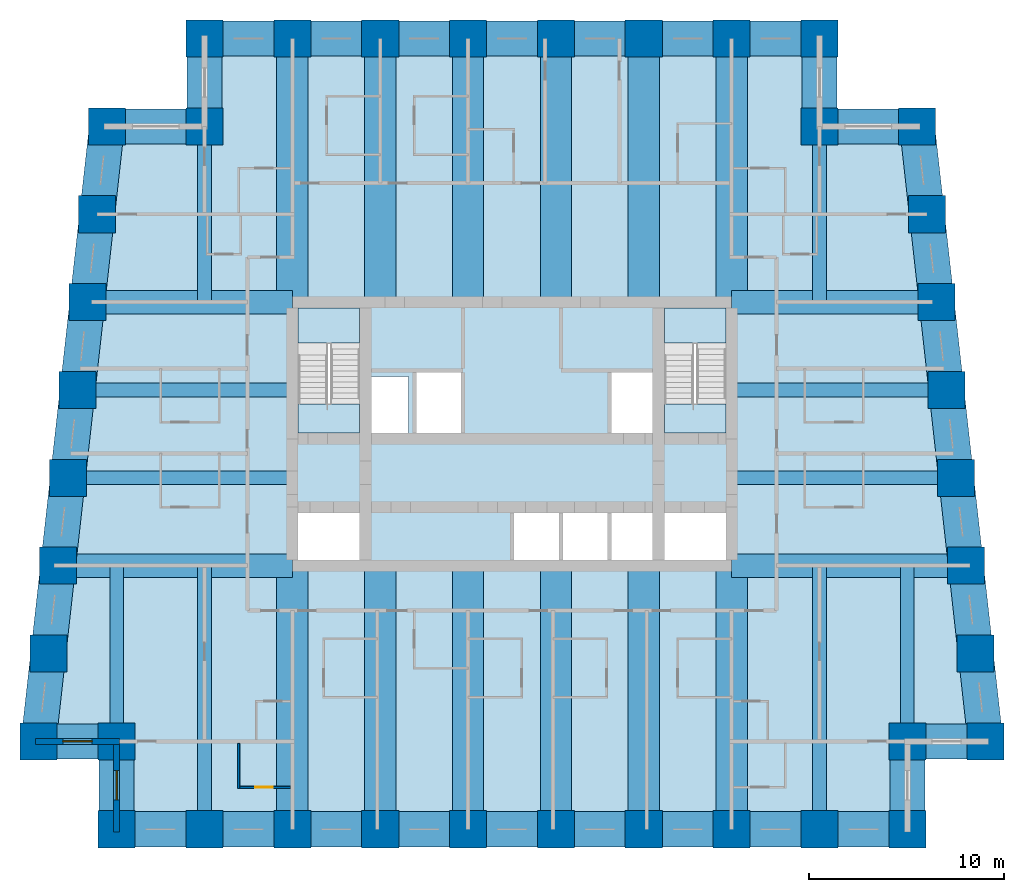
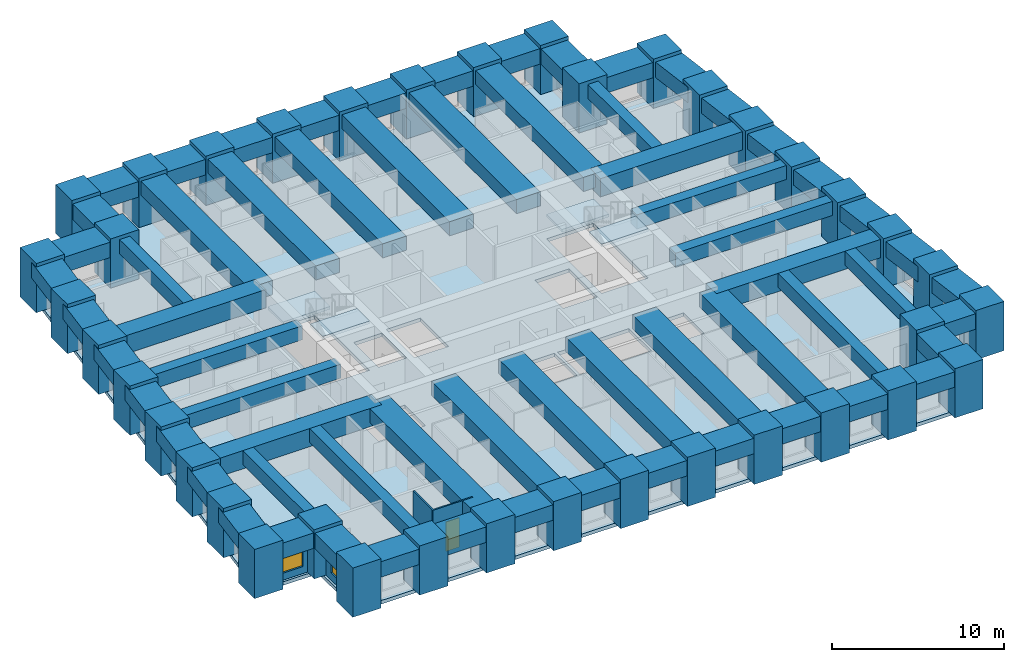
# One storey, part 1 of 8: 64 beams, 38 columns, 5 slabs, 4 walls, 2 windows, 1 door, 3 openings, 2 elements without a shape of their own.
"""IFC4 building model written with IfcOpenShell, lengths in metres."""

from ifc_helpers import new_model, si_unit, direction, frame, frame_2d, origin, origin_2d, place, context, subcontext, project, spatial, polyline, rectangle, outline, extrude, material, layer, layer_set, material_profile, profile_set, type_object, element, fill, aggregate, save


model = new_model("IFC4")

# Units and contexts
model_context = context("Model", 3, precision=1e-05, world=origin(), true_north=direction((0.0, 1.0)))
body_context = subcontext(model_context, "Body", "Model", "MODEL_VIEW")
ifc_project = project(units=[si_unit("LENGTHUNIT", "METRE"), si_unit("AREAUNIT", "SQUARE_METRE"), si_unit("VOLUMEUNIT", "CUBIC_METRE"), si_unit("PLANEANGLEUNIT", "RADIAN"), si_unit("MASSUNIT", "GRAM", prefix="KILO")], contexts=[model_context])

# Site, building, storey
site_placement = place(None, origin())
site = spatial("IfcSite", under=ifc_project, at=site_placement, CompositionType="ELEMENT")
building_placement = place(site_placement, origin())
building = spatial("IfcBuilding", under=site, at=building_placement, Name="Kilele Tower Hotel", CompositionType="ELEMENT")
storey_placement = place(building_placement, frame((0.0, 0.0, 103.89990234375)))
storey = spatial("IfcBuildingStorey", under=building, at=storey_placement, Name="L26", CompositionType="ELEMENT", Elevation=103.89990234375)

# Columns
ifc_material_1 = material(Name="Concrete C70/85", Category="concrete")
ifc_material_profile_1 = material_profile(ifc_material_1, rectangle(XDim=1.89990234375, YDim=1.89990234375, at=origin_2d()))
ifc_profile_set_1 = profile_set([ifc_material_profile_1], Name="Concrete C70/85")
column_type = type_object("IfcColumnType", Name="Tube column RC 1900x1900 C70/85", PredefinedType="COLUMN", material=ifc_profile_set_1)
for number, where, z_axis, x_axis, name in (
    (1, (0.5, 4.5, 0.0), (0.0, 0.0, 1.0), (1.0, 0.0, 0.0), "Column TC2 L26"),
    (2, (4.5, 4.5, 0.0), (0.0, 0.0, 1.0), (1.0, 0.0, 0.0), "Column TC2 L26"),
    (3, (4.5, 0.0, 0.0), (0.0, 0.0, 1.0), (1.0, 0.0, 0.0), "Column TC2 L26"),
    (4, (9.0, 0.0, 0.0), (0.0, 0.0, 1.0), (1.0, 0.0, 0.0), "Column TC2 L26"),
    (5, (13.5, 0.0, 0.0), (0.0, 0.0, 1.0), (1.0, 0.0, 0.0), "Column TC2 L26"),
    (6, (18.0, 0.0, 0.0), (0.0, 0.0, 1.0), (1.0, 0.0, 0.0), "Column TC2 L26"),
    (7, (22.5, 0.0, 0.0), (0.0, 0.0, 1.0), (1.0, 0.0, 0.0), "Column TC2 L26"),
    (8, (27.0, 0.0, 0.0), (0.0, 0.0, 1.0), (1.0, 0.0, 0.0), "Column TC2 L26"),
    (9, (31.5, 0.0, 0.0), (0.0, 0.0, 1.0), (1.0, 0.0, 0.0), "Column TC2 L26"),
    (10, (36.0, 0.0, 0.0), (0.0, 0.0, 1.0), (1.0, 0.0, 0.0), "Column TC2 L26"),
    (11, (40.5, 0.0, 0.0), (0.0, 0.0, 1.0), (1.0, 0.0, 0.0), "Column TC2 L26"),
    (12, (45.0, 0.0, 0.0), (0.0, 0.0, 1.0), (1.0, 0.0, 0.0), "Column TC2 L26"),
    (13, (45.0, 4.5, 0.0), (0.0, 0.0, 1.0), (1.0, 0.0, 0.0), "Column TC2 L26"),
    (14, (49.0, 4.5, 0.0), (0.0, 0.0, 1.0), (1.0, 0.0, 0.0), "Column TC2 L26"),
    (15, (48.5, 9.0, 0.0), (0.0, 0.0, 1.0), (1.0, 0.0, 0.0), "Column TC2 L26"),
    (16, (48.0, 13.5, 0.0), (0.0, 0.0, 1.0), (1.0, 0.0, 0.0), "Column TC2 L26"),
    (17, (47.5, 18.0, 0.0), (0.0, 0.0, 1.0), (1.0, 0.0, 0.0), "Column TC2 L26"),
    (18, (47.0, 22.5, 0.0), (0.0, 0.0, 1.0), (1.0, 0.0, 0.0), "Column TC2 L26"),
    (19, (46.5, 27.0, 0.0), (0.0, 0.0, 1.0), (1.0, 0.0, 0.0), "Column TC2 L26"),
    (20, (46.0, 31.5, 0.0), (0.0, 0.0, 1.0), (1.0, 0.0, 0.0), "Column TC2 L26"),
    (21, (45.5, 36.0, 0.0), (0.0, 0.0, 1.0), (1.0, 0.0, 0.0), "Column TC2 L26"),
    (22, (40.5, 36.0, 0.0), (0.0, 0.0, 1.0), (1.0, 0.0, 0.0), "Column TC2 L26"),
    (23, (40.5, 40.5, 0.0), (0.0, 0.0, 1.0), (1.0, 0.0, 0.0), "Column TC2 L26"),
    (24, (36.0, 40.5, 0.0), (0.0, 0.0, 1.0), (1.0, 0.0, 0.0), "Column TC2 L26"),
    (25, (31.5, 40.5, 0.0), (0.0, 0.0, 1.0), (1.0, 0.0, 0.0), "Column TC2 L26"),
    (26, (27.0, 40.5, 0.0), (0.0, 0.0, 1.0), (1.0, 0.0, 0.0), "Column TC2 L26"),
    (27, (22.5, 40.5, 0.0), (0.0, 0.0, 1.0), (1.0, 0.0, 0.0), "Column TC2 L26"),
    (28, (18.0, 40.5, 0.0), (0.0, 0.0, 1.0), (1.0, 0.0, 0.0), "Column TC2 L26"),
    (29, (13.5, 40.5, 0.0), (0.0, 0.0, 1.0), (1.0, 0.0, 0.0), "Column TC2 L26"),
    (30, (9.0, 40.5, 0.0), (0.0, 0.0, 1.0), (1.0, 0.0, 0.0), "Column TC2 L26"),
    (31, (9.0, 36.0, 0.0), (0.0, 0.0, 1.0), (1.0, 0.0, 0.0), "Column TC2 L26"),
    (32, (4.0, 36.0, 0.0), (0.0, 0.0, 1.0), (1.0, 0.0, 0.0), "Column TC2 L26"),
    (33, (3.5, 31.5, 0.0), (0.0, 0.0, 1.0), (1.0, 0.0, 0.0), "Column TC2 L26"),
    (34, (3.0, 27.0, 0.0), (0.0, 0.0, 1.0), (1.0, 0.0, 0.0), "Column TC2 L26"),
    (35, (2.5, 22.5, 0.0), (0.0, 0.0, 1.0), (1.0, 0.0, 0.0), "Column TC2 L26"),
    (36, (2.0, 18.0, 0.0), (0.0, 0.0, 1.0), (1.0, 0.0, 0.0), "Column TC2 L26"),
    (37, (1.5, 13.5, 0.0), (0.0, 0.0, 1.0), (1.0, 0.0, 0.0), "Column TC2 L26"),
    (38, (1.0, 9.0, 0.0), (0.0, 0.0, 1.0), (1.0, 0.0, 0.0), "Column TC2 L26"),
):
    element("IfcColumn", number, at=place(storey_placement, frame(where, z_axis=z_axis, x_axis=x_axis)), inside=storey, type_object=column_type, Name=name, PredefinedType="COLUMN", context=body_context, shape_type="SweptSolid", body=[
        extrude(rectangle(XDim=1.89990234375, YDim=1.89990234375, at=origin_2d()), origin(), (0.0, 0.0, 1.0), 3.5),
    ])

# Beams
ifc_material_2 = material(Name="Concrete C60/75", Category="concrete")
ifc_material_profile_2 = material_profile(ifc_material_2, rectangle(XDim=1.60009765625, YDim=1.0, at=origin_2d()))
ifc_profile_set_2 = profile_set([ifc_material_profile_2], Name="Concrete C60/75")
beam_type_1 = type_object("IfcBeamType", Name="Beam RC 1600x1000 C60/75", PredefinedType="BEAM", material=ifc_profile_set_2)
for number, where, z_axis, x_axis, name in (
    (39, (13.5, 0.0, 2.75), (0.0, 1.0, 0.0), (-1.0, 0.0, 0.0), "Beam BC1 level L27"),
    (40, (18.0, 0.0, 2.75), (0.0, 1.0, 0.0), (-1.0, 0.0, 0.0), "Beam BC1 level L27"),
    (41, (22.5, 0.0, 2.75), (0.0, 1.0, 0.0), (-1.0, 0.0, 0.0), "Beam BC1 level L27"),
    (42, (27.0, 0.0, 2.75), (0.0, 1.0, 0.0), (-1.0, 0.0, 0.0), "Beam BC1 level L27"),
    (43, (31.5, 0.0, 2.75), (0.0, 1.0, 0.0), (-1.0, 0.0, 0.0), "Beam BC1 level L27"),
    (44, (36.0, 0.0, 2.75), (0.0, 1.0, 0.0), (-1.0, 0.0, 0.0), "Beam BC1 level L27"),
    (45, (36.0, 40.5, 2.75), (0.0, -1.0, 0.0), (1.0, 0.0, 0.0), "Beam BC1 level L27"),
    (46, (31.5, 40.5, 2.75), (0.0, -1.0, 0.0), (1.0, 0.0, 0.0), "Beam BC1 level L27"),
    (47, (27.0, 40.5, 2.75), (0.0, -1.0, 0.0), (1.0, 0.0, 0.0), "Beam BC1 level L27"),
    (48, (22.5, 40.5, 2.75), (0.0, -1.0, 0.0), (1.0, 0.0, 0.0), "Beam BC1 level L27"),
    (49, (18.0, 40.5, 2.75), (0.0, -1.0, 0.0), (1.0, 0.0, 0.0), "Beam BC1 level L27"),
    (50, (13.5, 40.5, 2.75), (0.0, -1.0, 0.0), (1.0, 0.0, 0.0), "Beam BC1 level L27"),
):
    element("IfcBeam", number, at=place(storey_placement, frame(where, z_axis=z_axis, x_axis=x_axis)), inside=storey, type_object=beam_type_1, Name=name, PredefinedType="BEAM", context=body_context, shape_type="SweptSolid", body=[
        extrude(rectangle(XDim=1.60009765625, YDim=1.0, at=origin_2d()), origin(), (0.0, 0.0, 1.0), 13.5),
    ])
ifc_material_3 = material(Name="Concrete C60/75", Category="concrete")
ifc_material_profile_3 = material_profile(ifc_material_3, rectangle(XDim=0.699951171875, YDim=1.0, at=origin_2d()))
ifc_profile_set_3 = profile_set([ifc_material_profile_3], Name="Concrete C60/75")
beam_type_2 = type_object("IfcBeamType", Name="Beam RC 700x1000 C60/75", PredefinedType="BEAM", material=ifc_profile_set_3)
for number, where, z_axis, x_axis, name in (
    (51, (9.0, 0.0, 2.75), (0.0, 1.0, 0.0), (-1.0, 0.0, 0.0), "Beam B4 level L27"),
    (52, (40.5, 0.0, 2.75), (0.0, 1.0, 0.0), (-1.0, 0.0, 0.0), "Beam B4 level L27"),
):
    element("IfcBeam", number, at=place(storey_placement, frame(where, z_axis=z_axis, x_axis=x_axis)), inside=storey, type_object=beam_type_2, Name=name, PredefinedType="BEAM", context=body_context, shape_type="SweptSolid", body=[
        extrude(rectangle(XDim=0.699951171875, YDim=1.0, at=origin_2d()), origin(), (0.0, 0.0, 1.0), 13.5),
    ])
ifc_material_4 = material(Name="Concrete C60/75", Category="concrete")
ifc_material_profile_4 = material_profile(ifc_material_4, rectangle(XDim=0.699951171875, YDim=1.0, at=origin_2d()))
ifc_profile_set_4 = profile_set([ifc_material_profile_4], Name="Concrete C60/75")
beam_type_3 = type_object("IfcBeamType", Name="Beam RC 700x1000 C60/75 mid span", PredefinedType="BEAM", material=ifc_profile_set_4)
for number, where, z_axis, x_axis, name in (
    (53, (4.5, 4.5, 2.75), (0.0, 1.0, 0.0), (-1.0, 0.0, 0.0), "Beam B5 level L27"),
    (54, (45.0, 4.5, 2.75), (0.0, 1.0, 0.0), (-1.0, 0.0, 0.0), "Beam B5 level L27"),
):
    element("IfcBeam", number, at=place(storey_placement, frame(where, z_axis=z_axis, x_axis=x_axis)), inside=storey, type_object=beam_type_3, Name=name, PredefinedType="BEAM", context=body_context, shape_type="SweptSolid", body=[
        extrude(rectangle(XDim=0.699951171875, YDim=1.0, at=origin_2d()), origin(), (0.0, 0.0, 1.0), 9.0),
    ])
beam_1_placement = place(storey_placement, frame((47.5, 18.0, 2.75), z_axis=(-1.0, 0.0, 0.0), x_axis=(0.0, -1.0, 0.0)))
element("IfcBeam", 55, at=beam_1_placement, inside=storey, type_object=beam_type_3, Name="Beam B5 level L27", PredefinedType="BEAM", context=body_context, shape_type="SweptSolid", body=[
    extrude(rectangle(XDim=0.699951171875, YDim=1.0, at=origin_2d()), origin(), (0.0, 0.0, 1.0), 11.5),
])
beam_2_placement = place(storey_placement, frame((47.0, 22.5, 2.75), z_axis=(-1.0, 0.0, 0.0), x_axis=(0.0, -1.0, 0.0)))
element("IfcBeam", 56, at=beam_2_placement, inside=storey, type_object=beam_type_3, Name="Beam B5 level L27", PredefinedType="BEAM", context=body_context, shape_type="SweptSolid", body=[
    extrude(rectangle(XDim=0.699951171875, YDim=1.0, at=origin_2d()), origin(), (0.0, 0.0, 1.0), 11.0),
])
for number, where, z_axis, x_axis, name in (
    (57, (40.5, 36.0, 2.75), (0.0, -1.0, 0.0), (1.0, 0.0, 0.0), "Beam B5 level L27"),
    (58, (9.0, 36.0, 2.75), (0.0, -1.0, 0.0), (1.0, 0.0, 0.0), "Beam B5 level L27"),
):
    element("IfcBeam", number, at=place(storey_placement, frame(where, z_axis=z_axis, x_axis=x_axis)), inside=storey, type_object=beam_type_3, Name=name, PredefinedType="BEAM", context=body_context, shape_type="SweptSolid", body=[
        extrude(rectangle(XDim=0.699951171875, YDim=1.0, at=origin_2d()), origin(), (0.0, 0.0, 1.0), 9.0),
    ])
beam_3_placement = place(storey_placement, frame((2.5, 22.5, 2.75), z_axis=(1.0, 0.0, 0.0), x_axis=(0.0, 1.0, 0.0)))
element("IfcBeam", 59, at=beam_3_placement, inside=storey, type_object=beam_type_3, Name="Beam B5 level L27", PredefinedType="BEAM", context=body_context, shape_type="SweptSolid", body=[
    extrude(rectangle(XDim=0.699951171875, YDim=1.0, at=origin_2d()), origin(), (0.0, 0.0, 1.0), 11.0),
])
beam_4_placement = place(storey_placement, frame((2.0, 18.0, 2.75), z_axis=(1.0, 0.0, 0.0), x_axis=(0.0, 1.0, 0.0)))
element("IfcBeam", 60, at=beam_4_placement, inside=storey, type_object=beam_type_3, Name="Beam B5 level L27", PredefinedType="BEAM", context=body_context, shape_type="SweptSolid", body=[
    extrude(rectangle(XDim=0.699951171875, YDim=1.0, at=origin_2d()), origin(), (0.0, 0.0, 1.0), 11.5),
])
ifc_material_5 = material(Name="Concrete C60/75", Category="concrete")
ifc_material_profile_5 = material_profile(ifc_material_5, rectangle(XDim=1.199951171875, YDim=1.300048828125, at=origin_2d()))
ifc_profile_set_5 = profile_set([ifc_material_profile_5], Name="Concrete C60/75")
beam_type_4 = type_object("IfcBeamType", Name="Girder RC 1200x1300 C60/75", PredefinedType="BEAM", material=ifc_profile_set_5)
for number, where, z_axis, x_axis, name in (
    (61, (48.0, 13.5, 2.60009765625), (-1.0, 0.0, 0.0), (0.0, -1.0, 0.0), "Girder G1 level L27"),
    (62, (1.5, 13.5, 2.60009765625), (1.0, 0.0, 0.0), (0.0, 1.0, 0.0), "Girder G1 level L27"),
):
    element("IfcBeam", number, at=place(storey_placement, frame(where, z_axis=z_axis, x_axis=x_axis)), inside=storey, type_object=beam_type_4, Name=name, PredefinedType="BEAM", context=body_context, shape_type="SweptSolid", body=[
        extrude(rectangle(XDim=1.199951171875, YDim=1.300048828125, at=origin_2d()), origin(), (0.0, 0.0, 1.0), 12.0),
    ])
ifc_material_6 = material(Name="Concrete C60/75", Category="concrete")
ifc_material_profile_6 = material_profile(ifc_material_6, rectangle(XDim=1.199951171875, YDim=1.300048828125, at=origin_2d()))
ifc_profile_set_6 = profile_set([ifc_material_profile_6], Name="Concrete C60/75")
beam_type_5 = type_object("IfcBeamType", Name="Girder RC 1200x1300 C60/75 mid span", PredefinedType="BEAM", material=ifc_profile_set_6)
for number, where, z_axis, x_axis, name in (
    (63, (46.5, 27.0, 2.60009765625), (-1.0, 0.0, 0.0), (0.0, -1.0, 0.0), "Girder G3 level L27"),
    (64, (3.0, 27.0, 2.60009765625), (1.0, 0.0, 0.0), (0.0, 1.0, 0.0), "Girder G3 level L27"),
):
    element("IfcBeam", number, at=place(storey_placement, frame(where, z_axis=z_axis, x_axis=x_axis)), inside=storey, type_object=beam_type_5, Name=name, PredefinedType="BEAM", context=body_context, shape_type="SweptSolid", body=[
        extrude(rectangle(XDim=1.199951171875, YDim=1.300048828125, at=origin_2d()), origin(), (0.0, 0.0, 1.0), 10.5),
    ])
ifc_material_7 = material(Name="Concrete C60/75", Category="concrete")
ifc_material_profile_7 = material_profile(ifc_material_7, rectangle(XDim=1.800048828125, YDim=1.10009765625, at=origin_2d()))
ifc_profile_set_7 = profile_set([ifc_material_profile_7], Name="Concrete C60/75")
beam_type_6 = type_object("IfcBeamType", Name="Spandrel RC 1800x1100 C60/75", PredefinedType="SPANDREL", material=ifc_profile_set_7)
beam_5_placement = place(storey_placement, frame((0.5, 4.5, 2.7001953125), z_axis=(1.0, 0.0, 0.0), x_axis=(0.0, 1.0, 0.0)))
element("IfcBeam", 65, at=beam_5_placement, inside=storey, type_object=beam_type_6, Name="Spandrel SP4 level L27", PredefinedType="SPANDREL", context=body_context, shape_type="SweptSolid", body=[
    extrude(rectangle(XDim=1.800048828125, YDim=1.10009765625, at=origin_2d()), origin(), (0.0, 0.0, 1.0), 4.0),
])
for number, where, z_axis, x_axis, name in (
    (66, (4.5, 4.5, 2.7001953125), (0.0, -1.0, 0.0), (1.0, 0.0, 0.0), "Spandrel SP4 level L27"),
    (67, (4.5, 0.0, 2.7001953125), (1.0, 0.0, 0.0), (0.0, 1.0, 0.0), "Spandrel SP4 level L27"),
    (68, (9.0, 0.0, 2.7001953125), (1.0, 0.0, 0.0), (0.0, 1.0, 0.0), "Spandrel SP4 level L27"),
    (69, (13.5, 0.0, 2.7001953125), (1.0, 0.0, 0.0), (0.0, 1.0, 0.0), "Spandrel SP4 level L27"),
    (70, (18.0, 0.0, 2.7001953125), (1.0, 0.0, 0.0), (0.0, 1.0, 0.0), "Spandrel SP4 level L27"),
    (71, (22.5, 0.0, 2.7001953125), (1.0, 0.0, 0.0), (0.0, 1.0, 0.0), "Spandrel SP4 level L27"),
    (72, (27.0, 0.0, 2.7001953125), (1.0, 0.0, 0.0), (0.0, 1.0, 0.0), "Spandrel SP4 level L27"),
    (73, (31.5, 0.0, 2.7001953125), (1.0, 0.0, 0.0), (0.0, 1.0, 0.0), "Spandrel SP4 level L27"),
    (74, (36.0, 0.0, 2.7001953125), (1.0, 0.0, 0.0), (0.0, 1.0, 0.0), "Spandrel SP4 level L27"),
    (75, (40.5, 0.0, 2.7001953125), (1.0, 0.0, 0.0), (0.0, 1.0, 0.0), "Spandrel SP4 level L27"),
    (76, (45.0, 0.0, 2.7001953125), (0.0, 1.0, 0.0), (-1.0, 0.0, 0.0), "Spandrel SP4 level L27"),
):
    element("IfcBeam", number, at=place(storey_placement, frame(where, z_axis=z_axis, x_axis=x_axis)), inside=storey, type_object=beam_type_6, Name=name, PredefinedType="SPANDREL", context=body_context, shape_type="SweptSolid", body=[
        extrude(rectangle(XDim=1.800048828125, YDim=1.10009765625, at=origin_2d()), origin(), (0.0, 0.0, 1.0), 4.5),
    ])
beam_6_placement = place(storey_placement, frame((45.0, 4.5, 2.7001953125), z_axis=(1.0, 0.0, 0.0), x_axis=(0.0, 1.0, 0.0)))
element("IfcBeam", 77, at=beam_6_placement, inside=storey, type_object=beam_type_6, Name="Spandrel SP4 level L27", PredefinedType="SPANDREL", context=body_context, shape_type="SweptSolid", body=[
    extrude(rectangle(XDim=1.800048828125, YDim=1.10009765625, at=origin_2d()), origin(), (0.0, 0.0, 1.0), 4.0),
])
for number, where, z_axis, x_axis, name in (
    (78, (49.0, 4.5, 2.7001953125), (-0.110431526075, 0.993883734674, 0.0), (-0.993883734674, -0.110431526075, 0.0), "Spandrel SP4 level L27"),
    (79, (48.5, 9.0, 2.7001953125), (-0.110431526075, 0.993883734674, 0.0), (-0.993883734674, -0.110431526075, 0.0), "Spandrel SP4 level L27"),
    (80, (48.0, 13.5, 2.7001953125), (-0.110431526075, 0.993883734674, 0.0), (-0.993883734674, -0.110431526075, 0.0), "Spandrel SP4 level L27"),
    (81, (47.5, 18.0, 2.7001953125), (-0.110431526075, 0.993883734674, 0.0), (-0.993883734674, -0.110431526075, 0.0), "Spandrel SP4 level L27"),
    (82, (47.0, 22.5, 2.7001953125), (-0.110431526075, 0.993883734674, 0.0), (-0.993883734674, -0.110431526075, 0.0), "Spandrel SP4 level L27"),
    (83, (46.5, 27.0, 2.7001953125), (-0.110431526075, 0.993883734674, 0.0), (-0.993883734674, -0.110431526075, 0.0), "Spandrel SP4 level L27"),
    (84, (46.0, 31.5, 2.7001953125), (-0.110431526075, 0.993883734674, 0.0), (-0.993883734674, -0.110431526075, 0.0), "Spandrel SP4 level L27"),
):
    element("IfcBeam", number, at=place(storey_placement, frame(where, z_axis=z_axis, x_axis=x_axis)), inside=storey, type_object=beam_type_6, Name=name, PredefinedType="SPANDREL", context=body_context, shape_type="SweptSolid", body=[
        extrude(rectangle(XDim=1.800048828125, YDim=1.10009765625, at=origin_2d()), origin(), (0.0, 0.0, 1.0), 4.527587890625),
    ])
beam_7_placement = place(storey_placement, frame((45.5, 36.0, 2.7001953125), z_axis=(-1.0, 0.0, 0.0), x_axis=(0.0, -1.0, 0.0)))
element("IfcBeam", 85, at=beam_7_placement, inside=storey, type_object=beam_type_6, Name="Spandrel SP4 level L27", PredefinedType="SPANDREL", context=body_context, shape_type="SweptSolid", body=[
    extrude(rectangle(XDim=1.800048828125, YDim=1.10009765625, at=origin_2d()), origin(), (0.0, 0.0, 1.0), 5.0),
])
for number, where, z_axis, x_axis, name in (
    (86, (40.5, 36.0, 2.7001953125), (0.0, 1.0, 0.0), (-1.0, 0.0, 0.0), "Spandrel SP4 level L27"),
    (87, (40.5, 40.5, 2.7001953125), (-1.0, 0.0, 0.0), (0.0, -1.0, 0.0), "Spandrel SP4 level L27"),
    (88, (36.0, 40.5, 2.7001953125), (-1.0, 0.0, 0.0), (0.0, -1.0, 0.0), "Spandrel SP4 level L27"),
    (89, (31.5, 40.5, 2.7001953125), (-1.0, 0.0, 0.0), (0.0, -1.0, 0.0), "Spandrel SP4 level L27"),
    (90, (27.0, 40.5, 2.7001953125), (-1.0, 0.0, 0.0), (0.0, -1.0, 0.0), "Spandrel SP4 level L27"),
    (91, (22.5, 40.5, 2.7001953125), (-1.0, 0.0, 0.0), (0.0, -1.0, 0.0), "Spandrel SP4 level L27"),
    (92, (18.0, 40.5, 2.7001953125), (-1.0, 0.0, 0.0), (0.0, -1.0, 0.0), "Spandrel SP4 level L27"),
    (93, (13.5, 40.5, 2.7001953125), (-1.0, 0.0, 0.0), (0.0, -1.0, 0.0), "Spandrel SP4 level L27"),
    (94, (9.0, 40.5, 2.7001953125), (0.0, -1.0, 0.0), (1.0, 0.0, 0.0), "Spandrel SP4 level L27"),
):
    element("IfcBeam", number, at=place(storey_placement, frame(where, z_axis=z_axis, x_axis=x_axis)), inside=storey, type_object=beam_type_6, Name=name, PredefinedType="SPANDREL", context=body_context, shape_type="SweptSolid", body=[
        extrude(rectangle(XDim=1.800048828125, YDim=1.10009765625, at=origin_2d()), origin(), (0.0, 0.0, 1.0), 4.5),
    ])
beam_8_placement = place(storey_placement, frame((9.0, 36.0, 2.7001953125), z_axis=(-1.0, 0.0, 0.0), x_axis=(0.0, -1.0, 0.0)))
element("IfcBeam", 95, at=beam_8_placement, inside=storey, type_object=beam_type_6, Name="Spandrel SP4 level L27", PredefinedType="SPANDREL", context=body_context, shape_type="SweptSolid", body=[
    extrude(rectangle(XDim=1.800048828125, YDim=1.10009765625, at=origin_2d()), origin(), (0.0, 0.0, 1.0), 5.0),
])
for number, where, z_axis, x_axis, name in (
    (96, (4.0, 36.0, 2.7001953125), (-0.110431526075, -0.993883734674, 0.0), (0.993883734674, -0.110431526075, 0.0), "Spandrel SP4 level L27"),
    (97, (3.5, 31.5, 2.7001953125), (-0.110431526075, -0.993883734674, 0.0), (0.993883734674, -0.110431526075, 0.0), "Spandrel SP4 level L27"),
    (98, (3.0, 27.0, 2.7001953125), (-0.110431526075, -0.993883734674, 0.0), (0.993883734674, -0.110431526075, 0.0), "Spandrel SP4 level L27"),
    (99, (2.5, 22.5, 2.7001953125), (-0.110431526075, -0.993883734674, 0.0), (0.993883734674, -0.110431526075, 0.0), "Spandrel SP4 level L27"),
    (100, (2.0, 18.0, 2.7001953125), (-0.110431526075, -0.993883734674, 0.0), (0.993883734674, -0.110431526075, 0.0), "Spandrel SP4 level L27"),
    (101, (1.5, 13.5, 2.7001953125), (-0.110431526075, -0.993883734674, 0.0), (0.993883734674, -0.110431526075, 0.0), "Spandrel SP4 level L27"),
    (102, (1.0, 9.0, 2.7001953125), (-0.110431526075, -0.993883734674, 0.0), (0.993883734674, -0.110431526075, 0.0), "Spandrel SP4 level L27"),
):
    element("IfcBeam", number, at=place(storey_placement, frame(where, z_axis=z_axis, x_axis=x_axis)), inside=storey, type_object=beam_type_6, Name=name, PredefinedType="SPANDREL", context=body_context, shape_type="SweptSolid", body=[
        extrude(rectangle(XDim=1.800048828125, YDim=1.10009765625, at=origin_2d()), origin(), (0.0, 0.0, 1.0), 4.527587890625),
    ])

# Slab
ifc_material_8 = material(Name="Concrete C60/75", Category="concrete")
ifc_layer_1 = layer(ifc_material_8, 0.25)
ifc_layer_set_1 = layer_set([ifc_layer_1], Name="Concrete C60/75")
slab_type_1 = type_object("IfcSlabType", Name="Floor slab 250", PredefinedType="FLOOR", material=ifc_layer_set_1)
slab_1_placement = place(storey_placement, frame((0.0, 0.0, -0.25)))
element("IfcSlab", 103, at=slab_1_placement, inside=storey, type_object=slab_type_1, Name="Floor slab L26", PredefinedType="FLOOR", context=body_context, shape_type="SweptSolid", body=[
    extrude(outline(polyline([(8.699951171875, 36.300048828125), (8.699951171875, 40.800048828125), (40.800048828125, 40.800048828125), (40.800048828125, 36.300048828125), (45.7685546875, 36.300048828125), (49.335205078125, 4.199951171875), (45.300048828125, 4.199951171875), (45.300048828125, -0.300048828125), (4.199951171875, -0.300048828125), (4.199951171875, 4.199951171875), (0.164794921875, 4.199951171875), (3.7314453125, 36.300048828125), (8.699951171875, 36.300048828125)]), holes=[polyline([(16.949951171875, 16.199951171875), (13.800048828125, 16.199951171875), (13.800048828125, 13.800048828125), (16.949951171875, 13.800048828125), (16.949951171875, 16.199951171875)]), polyline([(35.699951171875, 16.199951171875), (32.550048828125, 16.199951171875), (32.550048828125, 13.800048828125), (35.699951171875, 13.800048828125), (35.699951171875, 16.199951171875)]), polyline([(27.14990234375, 16.39990234375), (24.85009765625, 16.39990234375), (24.85009765625, 13.800048828125), (27.14990234375, 13.800048828125), (27.14990234375, 16.39990234375)]), polyline([(29.64990234375, 13.800048828125), (29.64990234375, 16.39990234375), (27.35009765625, 16.39990234375), (27.35009765625, 13.800048828125), (29.64990234375, 13.800048828125)]), polyline([(32.14990234375, 13.800048828125), (32.14990234375, 16.39990234375), (29.85009765625, 16.39990234375), (29.85009765625, 13.800048828125), (32.14990234375, 13.800048828125)]), polyline([(19.449951171875, 23.199951171875), (17.550048828125, 23.199951171875), (17.550048828125, 20.300048828125), (19.449951171875, 20.300048828125), (19.449951171875, 23.199951171875)]), polyline([(22.14990234375, 23.39990234375), (19.85009765625, 23.39990234375), (19.85009765625, 20.10009765625), (22.14990234375, 20.10009765625), (22.14990234375, 23.39990234375)]), polyline([(32.14990234375, 23.39990234375), (29.85009765625, 23.39990234375), (29.85009765625, 20.10009765625), (32.14990234375, 20.10009765625), (32.14990234375, 23.39990234375)]), polyline([(16.949951171875, 20.300048828125), (16.949951171875, 26.699951171875), (13.800048828125, 26.699951171875), (13.800048828125, 20.300048828125), (16.949951171875, 20.300048828125)]), polyline([(35.699951171875, 20.300048828125), (35.699951171875, 26.699951171875), (32.550048828125, 26.699951171875), (32.550048828125, 20.300048828125), (35.699951171875, 20.300048828125)])]), origin(), (0.0, 0.0, 1.0), 0.25),
])

# Stair, slabs
ifc_material_9 = material(Name="Precast concrete C40/50", Category="concrete")
stair_type = type_object("IfcStairType", Name="Stair 1475 x 3500", PredefinedType="HALF_TURN_STAIR", material=ifc_material_9)
stair_1_placement = place(storey_placement, origin())
stair_1 = element("IfcStair", 104, at=stair_1_placement, inside=storey, type_object=stair_type, Name="Stair 1 L26", PredefinedType="HALF_TURN_STAIR")
ifc_material_10 = material(Name="Precast concrete C40/50", Category="concrete")
ifc_layer_2 = layer(ifc_material_10, 0.199951171875)
ifc_layer_set_2 = layer_set([ifc_layer_2], Name="Precast concrete C40/50")
slab_type_2 = type_object("IfcSlabType", Name="Stair landing 200", PredefinedType="LANDING", material=ifc_layer_set_2)
slab_2_placement = place(storey_placement, frame((0.0, 0.0, 1.550048828125)))
slab_2 = element("IfcSlab", 105, at=slab_2_placement, type_object=slab_type_2, Name="ST1 landing 1", PredefinedType="LANDING", context=body_context, shape_type="SweptSolid", body=[
    extrude(outline(polyline([(13.800048828125, 24.89501953125), (16.949951171875, 24.89501953125), (16.949951171875, 26.699951171875), (13.800048828125, 26.699951171875), (13.800048828125, 24.89501953125)])), origin(), (0.0, 0.0, 1.0), 0.199951171875),
])
slab_3_placement = place(storey_placement, frame((0.0, 0.0, 3.300048828125)))
slab_3 = element("IfcSlab", 106, at=slab_3_placement, type_object=slab_type_2, Name="ST1 landing 2", PredefinedType="LANDING", context=body_context, shape_type="SweptSolid", body=[
    extrude(outline(polyline([(13.800048828125, 20.300048828125), (16.949951171875, 20.300048828125), (16.949951171875, 21.77490234375), (13.800048828125, 21.77490234375), (13.800048828125, 20.300048828125)])), origin(), (0.0, 0.0, 1.0), 0.199951171875),
])
aggregate(stair_1, [slab_2, slab_3])

stair_2_placement = place(storey_placement, origin())
stair_2 = element("IfcStair", 107, at=stair_2_placement, inside=storey, type_object=stair_type, Name="Stair 2 L26", PredefinedType="HALF_TURN_STAIR")
slab_4_placement = place(storey_placement, frame((0.0, 0.0, 1.550048828125)))
slab_4 = element("IfcSlab", 108, at=slab_4_placement, type_object=slab_type_2, Name="ST2 landing 1", PredefinedType="LANDING", context=body_context, shape_type="SweptSolid", body=[
    extrude(outline(polyline([(32.550048828125, 24.89501953125), (35.699951171875, 24.89501953125), (35.699951171875, 26.699951171875), (32.550048828125, 26.699951171875), (32.550048828125, 24.89501953125)])), origin(), (0.0, 0.0, 1.0), 0.199951171875),
])
slab_5_placement = place(storey_placement, frame((0.0, 0.0, 3.300048828125)))
slab_5 = element("IfcSlab", 109, at=slab_5_placement, type_object=slab_type_2, Name="ST2 landing 2", PredefinedType="LANDING", context=body_context, shape_type="SweptSolid", body=[
    extrude(outline(polyline([(32.550048828125, 20.300048828125), (35.699951171875, 20.300048828125), (35.699951171875, 21.77490234375), (32.550048828125, 21.77490234375), (32.550048828125, 20.300048828125)])), origin(), (0.0, 0.0, 1.0), 0.199951171875),
])
aggregate(stair_2, [slab_4, slab_5])

# Wall
ifc_material_11 = material(Name="Moisture-resistant board")
ifc_layer_3 = layer(ifc_material_11, 0.10009765625)
ifc_layer_set_3 = layer_set([ifc_layer_3], Name="Moisture-resistant board")
wall_type_1 = type_object("IfcWallType", Name="Bathroom partition 100", PredefinedType="PLUMBINGWALL", material=ifc_layer_set_3)
wall_1_placement = place(storey_placement, frame((10.75, 4.39990234375, 0.0), z_axis=(0.0, 0.0, 1.0), x_axis=(0.0, -1.0, 0.0)))
element("IfcWall", 110, at=wall_1_placement, inside=storey, type_object=wall_type_1, Name="Bathroom partition 100 L26", PredefinedType="PLUMBINGWALL", context=body_context, shape_type="SweptSolid", body=[
    extrude(rectangle(XDim=2.2998046875, YDim=0.10009765625, at=frame_2d((1.14990234375, 0.0))), origin(), (0.0, 0.0, 1.0), 3.25),
])

# Wall, opening, door
wall_2_placement = place(storey_placement, frame((13.39990234375, 2.14990234375, 0.0), z_axis=(0.0, 0.0, 1.0), x_axis=(-1.0, 0.0, 0.0)))
wall_2 = element("IfcWall", 111, at=wall_2_placement, inside=storey, type_object=wall_type_1, Name="Bathroom partition 100 L26", PredefinedType="PLUMBINGWALL", context=body_context, shape_type="SweptSolid", body=[
    extrude(rectangle(XDim=2.699951171875, YDim=0.10009765625, at=frame_2d((1.35009765625, 0.0))), origin(), (0.0, 0.0, 1.0), 3.25),
])
opening_1_placement = place(wall_2_placement, frame((0.89990234375, 0.0, 0.0)))
opening_1 = element("IfcOpeningElement", 112, at=opening_1_placement, cuts=wall_2, Name="Opening D2A", PredefinedType="OPENING", context=body_context, shape_type="SweptSolid", body=[
    extrude(rectangle(XDim=0.89990234375, YDim=2.10009765625, at=frame_2d((0.449951171875, 1.050048828125))), frame((0.0, 0.06005859375, 0.0), z_axis=(0.0, -1.0, 0.0), x_axis=(1.0, 0.0, 0.0)), (0.0, 0.0, 1.0), 0.1201171875),
])
ifc_material_12 = material(Name="Timber door leaf in hardwood frame", Category="wood")
door_type = type_object("IfcDoorType", Name="Bathroom door 900", OperationType="SINGLE_SWING_LEFT", PredefinedType="DOOR", material=ifc_material_12)
door_placement = place(opening_1_placement, origin())
door = element("IfcDoor", 113, at=door_placement, inside=storey, type_object=door_type, Name="Bathroom door 2619B", OperationType="SINGLE_SWING_LEFT", OverallHeight=2.10009765625, OverallWidth=0.89990234375, PredefinedType="DOOR", context=body_context, shape_type="SweptSolid", body=[
    extrude(rectangle(XDim=0.89990234375, YDim=2.10009765625, at=frame_2d((0.449951171875, 1.050048828125))), frame((0.0, 0.02490234375, 0.0), z_axis=(0.0, -1.0, 0.0), x_axis=(1.0, 0.0, 0.0)), (0.0, 0.0, 1.0), 0.050048828125),
])
fill(opening_1, door)

# Wall, opening, window
ifc_material_13 = material(Name="Concrete C40/50 precast", Category="concrete")
ifc_layer_4 = layer(ifc_material_13, 0.260009765625, Name="Precast backing", Category="LoadBearing")
ifc_material_14 = material(Name="Reconstituted stone finish", Category="masonry")
ifc_layer_5 = layer(ifc_material_14, 0.0400390625, Name="Face mix", Category="Finish")
ifc_layer_set_4 = layer_set([ifc_layer_4, ifc_layer_5], Name="Precast concrete C40/50, reconstituted stone finish")
wall_type_2 = type_object("IfcWallType", Name="Precast stone facade wall 300", PredefinedType="STANDARD", material=ifc_layer_set_4)
wall_3_placement = place(storey_placement, frame((0.35009765625, 4.5, 0.0), z_axis=(0.0, 0.0, 1.0), x_axis=(1.0, 0.0, 0.0)))
wall_3 = element("IfcWall", 114, at=wall_3_placement, inside=storey, type_object=wall_type_2, Name="Facade wall L26 edge 1", PredefinedType="STANDARD", context=body_context, shape_type="SweptSolid", body=[
    extrude(rectangle(XDim=4.2998046875, YDim=0.300048828125, at=frame_2d((2.14990234375, 0.0))), origin(), (0.0, 0.0, 1.0), 2.150146484375),
])
opening_2_placement = place(wall_3_placement, frame((1.39990234375, 0.0, 0.5)))
opening_2 = element("IfcOpeningElement", 115, at=opening_2_placement, cuts=wall_3, Name="Opening W2", PredefinedType="OPENING", context=body_context, shape_type="SweptSolid", body=[
    extrude(rectangle(XDim=1.5, YDim=1.5, at=frame_2d((0.75, 0.75))), frame((0.0, 0.159912109375, 0.0), z_axis=(0.0, -1.0, 0.0), x_axis=(1.0, 0.0, 0.0)), (0.0, 0.0, 1.0), 0.320068359375),
])
ifc_material_15 = material(Name="Aluminium frame, clear double glazing", Category="aluminium")
window_type = type_object("IfcWindowType", Name="Window W2 1500 x 1500", PartitioningType="SINGLE_PANEL", PredefinedType="WINDOW", material=ifc_material_15)
window_1_placement = place(opening_2_placement, origin())
window_1 = element("IfcWindow", 116, at=window_1_placement, inside=storey, type_object=window_type, Name="Window L26", OverallHeight=1.5, OverallWidth=1.5, PartitioningType="SINGLE_PANEL", PredefinedType="WINDOW", context=body_context, shape_type="SweptSolid", body=[
    extrude(rectangle(XDim=1.5, YDim=1.5, at=frame_2d((0.75, 0.75))), frame((0.0, 0.030029296875, 0.0), z_axis=(0.0, -1.0, 0.0), x_axis=(1.0, 0.0, 0.0)), (0.0, 0.0, 1.0), 0.06005859375),
])
fill(opening_2, window_1)

wall_4_placement = place(storey_placement, frame((4.5, 4.64990234375, 0.0), z_axis=(0.0, 0.0, 1.0), x_axis=(0.0, -1.0, 0.0)))
wall_4 = element("IfcWall", 117, at=wall_4_placement, inside=storey, type_object=wall_type_2, Name="Facade wall L26 edge 2", PredefinedType="STANDARD", context=body_context, shape_type="SweptSolid", body=[
    extrude(rectangle(XDim=4.7998046875, YDim=0.300048828125, at=frame_2d((2.39990234375, 0.0))), origin(), (0.0, 0.0, 1.0), 2.150146484375),
])
opening_3_placement = place(wall_4_placement, frame((1.64990234375, 0.0, 0.5)))
opening_3 = element("IfcOpeningElement", 118, at=opening_3_placement, cuts=wall_4, Name="Opening W2", PredefinedType="OPENING", context=body_context, shape_type="SweptSolid", body=[
    extrude(rectangle(XDim=1.5, YDim=1.5, at=frame_2d((0.75, 0.75))), frame((0.0, 0.159912109375, 0.0), z_axis=(0.0, -1.0, 0.0), x_axis=(1.0, 0.0, 0.0)), (0.0, 0.0, 1.0), 0.320068359375),
])
window_2_placement = place(opening_3_placement, origin())
window_2 = element("IfcWindow", 119, at=window_2_placement, inside=storey, type_object=window_type, Name="Window L26", OverallHeight=1.5, OverallWidth=1.5, PartitioningType="SINGLE_PANEL", PredefinedType="WINDOW", context=body_context, shape_type="SweptSolid", body=[
    extrude(rectangle(XDim=1.5, YDim=1.5, at=frame_2d((0.75, 0.75))), frame((0.0, 0.030029296875, 0.0), z_axis=(0.0, -1.0, 0.0), x_axis=(1.0, 0.0, 0.0)), (0.0, 0.0, 1.0), 0.06005859375),
])
fill(opening_3, window_2)

save(model, "model.ifc")
